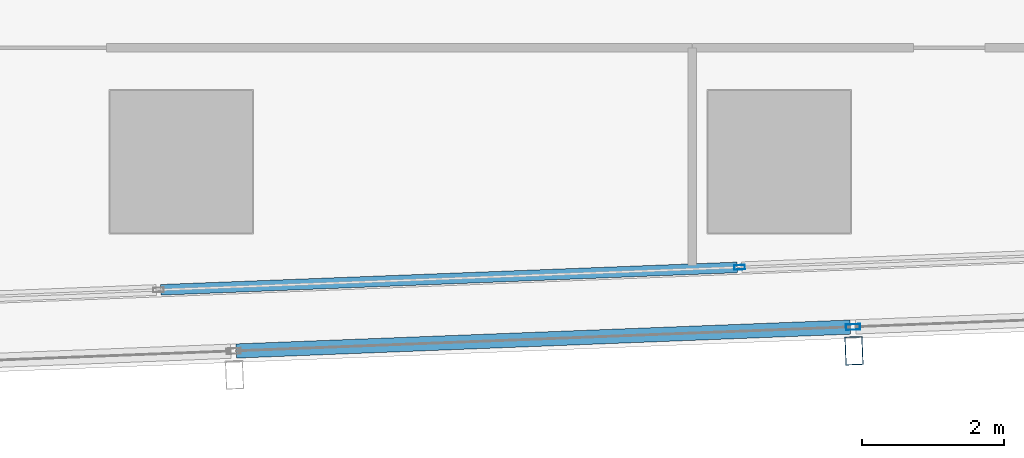
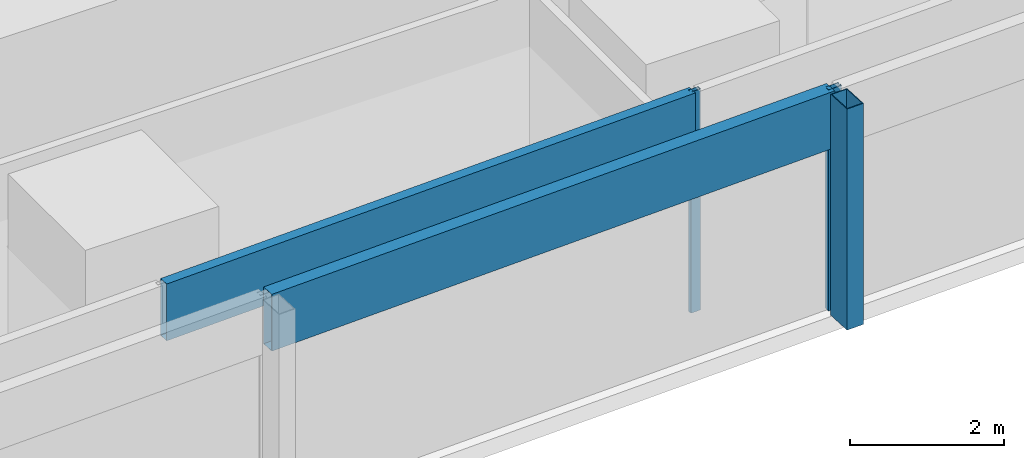
# One storey, part 10 of 39: 5 members, 2 elements without a shape of their own.
"""IFC4 building model written with IfcOpenShell, lengths in metres."""

from ifc_helpers import new_model, si_unit, direction, frame, origin, origin_2d, place, context, subcontext, project, spatial, hollow_rectangle, extrude, material, material_profile, profile_set, type_object, element, aggregate, save


model = new_model("IFC4")

# Units and contexts
model_context = context("Model", 3, precision=1e-05, world=origin(), true_north=direction((0.0, 1.0)))
body_context = subcontext(model_context, "Body", "Model", "MODEL_VIEW")
ifc_project = project(units=[si_unit("LENGTHUNIT", "METRE"), si_unit("AREAUNIT", "SQUARE_METRE"), si_unit("VOLUMEUNIT", "CUBIC_METRE"), si_unit("PLANEANGLEUNIT", "RADIAN"), si_unit("MASSUNIT", "GRAM", prefix="KILO")], contexts=[model_context])

# Site, building, storey
site_placement = place(None, origin())
site = spatial("IfcSite", under=ifc_project, at=site_placement, CompositionType="ELEMENT")
building_placement = place(site_placement, origin())
building = spatial("IfcBuilding", under=site, at=building_placement, Name="Rekha Terrace Tower", CompositionType="ELEMENT")
storey_placement = place(building_placement, frame((0.0, 0.0, 147.800048828125)))
storey = spatial("IfcBuildingStorey", under=building, at=storey_placement, Name="L37", CompositionType="ELEMENT", Elevation=147.800048828125)

# Curtain wall, member
ifc_material_1 = material(Name="Aluminium framing", Category="aluminium")
curtain_wall_type_1 = type_object("IfcCurtainWallType", Name="CW2 double skin outer glazing", PredefinedType="USERDEFINED", material=ifc_material_1)
curtain_wall_1_placement = place(storey_placement, origin())
curtain_wall_1 = element("IfcCurtainWall", 1, at=curtain_wall_1_placement, inside=storey, type_object=curtain_wall_type_1, Name="CW2 double skin outer glazing", ObjectType="DOUBLE SKIN OUTER GLAZING", PredefinedType="USERDEFINED")
ifc_material_2 = material(Name="Steel S355 with fluorocarbon finish", Category="steel")
ifc_material_profile_1 = material_profile(ifc_material_2, hollow_rectangle(XDim=0.25, YDim=0.39990234375, WallThickness=0.012451171875, at=origin_2d()), Name="RHS400x250x12.5")
ifc_profile_set_1 = profile_set([ifc_material_profile_1], Name="Steel S355 with fluorocarbon finish")
member_type_1 = type_object("IfcMemberType", Name="BL1 facade blade RHS 400 x 250", PredefinedType="USERDEFINED", material=ifc_profile_set_1)
member_1_placement = place(storey_placement, frame((51.4521484375, 14.141845703125, 0.0), z_axis=(0.0, 0.0, 1.0), x_axis=(0.999243494356, 0.038890088543, 0.0)))
member_1 = element("IfcMember", 2, at=member_1_placement, type_object=member_type_1, Name="Facade blade", ObjectType="FACADE BLADE", PredefinedType="USERDEFINED", context=body_context, shape_type="SweptSolid", body=[
    extrude(hollow_rectangle(XDim=0.25, YDim=0.39990234375, WallThickness=0.012451171875, at=origin_2d()), origin(), (0.0, 0.0, 1.0), 3.5),
])

# Curtain wall, members
curtain_wall_type_2 = type_object("IfcCurtainWallType", Name="CW1 double skin inner glazing", PredefinedType="USERDEFINED", material=ifc_material_1)
curtain_wall_2_placement = place(storey_placement, origin())
curtain_wall_2 = element("IfcCurtainWall", 3, at=curtain_wall_2_placement, inside=storey, type_object=curtain_wall_type_2, Name="CW1 double skin inner glazing", ObjectType="DOUBLE SKIN INNER GLAZING", PredefinedType="USERDEFINED")
ifc_material_3 = material(Name="Aluminium mullion section", Category="aluminium")
ifc_material_profile_2 = material_profile(ifc_material_3, hollow_rectangle(XDim=0.06494140625, YDim=0.14990234375, WallThickness=0.00390625, at=origin_2d()), Name="AL RHS 65x150")
ifc_profile_set_2 = profile_set([ifc_material_profile_2], Name="Aluminium mullion section")
member_type_2 = type_object("IfcMemberType", Name="CW1 mullion RHS 65 x 150", PredefinedType="MULLION", material=ifc_profile_set_2)
member_2_placement = place(storey_placement, frame((49.8447265625, 15.315185546875, 0.0), z_axis=(0.0, 0.0, 1.0), x_axis=(-0.038889971328, 0.999243498918, 0.0)))
member_2 = element("IfcMember", 4, at=member_2_placement, type_object=member_type_2, Name="CW1 mullion 4", PredefinedType="MULLION", context=body_context, shape_type="SweptSolid", body=[
    extrude(hollow_rectangle(XDim=0.06494140625, YDim=0.14990234375, WallThickness=0.00390625, at=origin_2d()), origin(), (0.0, 0.0, 1.0), 3.5),
])
ifc_material_4 = material(Name="Insulated aluminium spandrel box", Category="aluminium")
ifc_material_profile_3 = material_profile(ifc_material_4, hollow_rectangle(XDim=0.14990234375, YDim=0.89990234375, WallThickness=0.0029296875, at=origin_2d()), Name="AL SPANDREL BOX 150x900")
ifc_profile_set_3 = profile_set([ifc_material_profile_3], Name="Insulated aluminium spandrel box")
member_type_3 = type_object("IfcMemberType", Name="CW1 spandrel transom 150 x 900", PredefinedType="USERDEFINED", material=ifc_profile_set_3)
member_3_placement = place(storey_placement, frame((41.71142578125, 14.998779296875, 3.050048828125), z_axis=(0.999243949495, 0.038878392417, 0.0), x_axis=(-0.038878392417, 0.999243949495, 0.0)))
member_3 = element("IfcMember", 5, at=member_3_placement, type_object=member_type_3, Name="CW1 spandrel transom 3", ObjectType="TRANSOM", PredefinedType="USERDEFINED", context=body_context, shape_type="SweptSolid", body=[
    extrude(hollow_rectangle(XDim=0.14990234375, YDim=0.89990234375, WallThickness=0.0029296875, at=origin_2d()), origin(), (0.0, 0.0, 1.0), 8.10693359375),
])
aggregate(curtain_wall_2, [member_2, member_3])

# Member
ifc_material_profile_4 = material_profile(ifc_material_3, hollow_rectangle(XDim=0.080078125, YDim=0.199951171875, WallThickness=0.00390625, at=origin_2d()), Name="AL RHS 80x200")
ifc_profile_set_4 = profile_set([ifc_material_profile_4], Name="Aluminium mullion section")
member_type_4 = type_object("IfcMemberType", Name="CW2 mullion RHS 80 x 200", PredefinedType="MULLION", material=ifc_profile_set_4)
member_4_placement = place(storey_placement, frame((51.439208984375, 14.4765625, 0.0), z_axis=(0.0, 0.0, 1.0), x_axis=(-0.038889971345, 0.999243498917, 0.0)))
member_4 = element("IfcMember", 6, at=member_4_placement, type_object=member_type_4, Name="CW2 mullion 4", PredefinedType="MULLION", context=body_context, shape_type="SweptSolid", body=[
    extrude(hollow_rectangle(XDim=0.080078125, YDim=0.199951171875, WallThickness=0.00390625, at=origin_2d()), origin(), (0.0, 0.0, 1.0), 3.5),
])

ifc_material_profile_5 = material_profile(ifc_material_4, hollow_rectangle(XDim=0.199951171875, YDim=0.89990234375, WallThickness=0.0029296875, at=origin_2d()), Name="AL SPANDREL BOX 200x900")
ifc_profile_set_5 = profile_set([ifc_material_profile_5], Name="Insulated aluminium spandrel box")
member_type_5 = type_object("IfcMemberType", Name="CW2 spandrel transom 200 x 900", PredefinedType="USERDEFINED", material=ifc_profile_set_5)
member_5_placement = place(storey_placement, frame((42.774169921875, 14.139404296875, 3.050048828125), z_axis=(0.999243438523, 0.038891523097, 0.0), x_axis=(-0.038891523097, 0.999243438523, 0.0)))
member_5 = element("IfcMember", 7, at=member_5_placement, type_object=member_type_5, Name="CW2 spandrel transom 3", ObjectType="TRANSOM", PredefinedType="USERDEFINED", context=body_context, shape_type="SweptSolid", body=[
    extrude(hollow_rectangle(XDim=0.199951171875, YDim=0.89990234375, WallThickness=0.0029296875, at=origin_2d()), origin(), (0.0, 0.0, 1.0), 8.631591796875),
])

aggregate(curtain_wall_1, [member_4, member_5, member_1])

save(model, "model.ifc")
